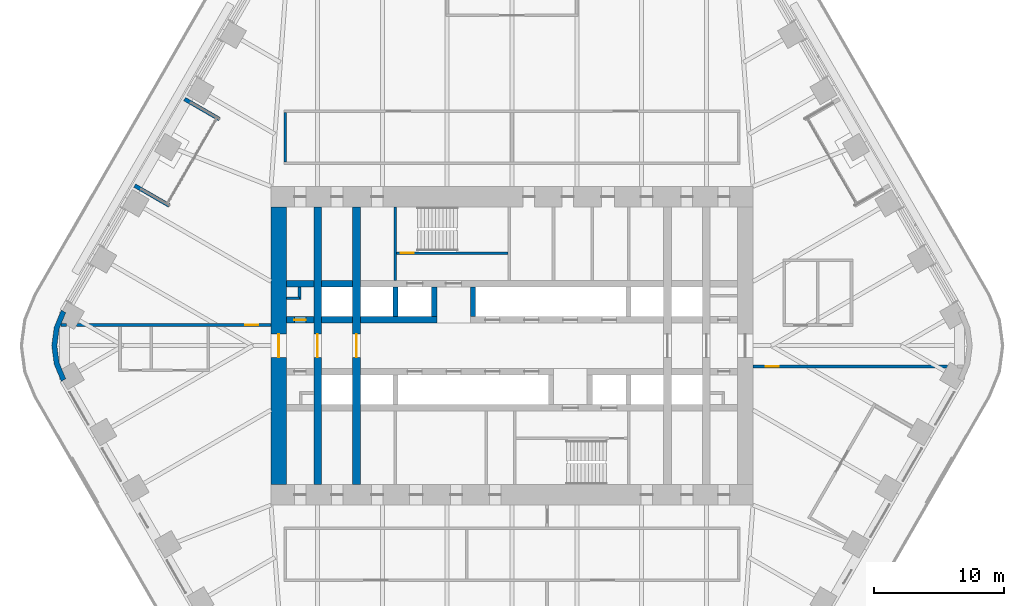
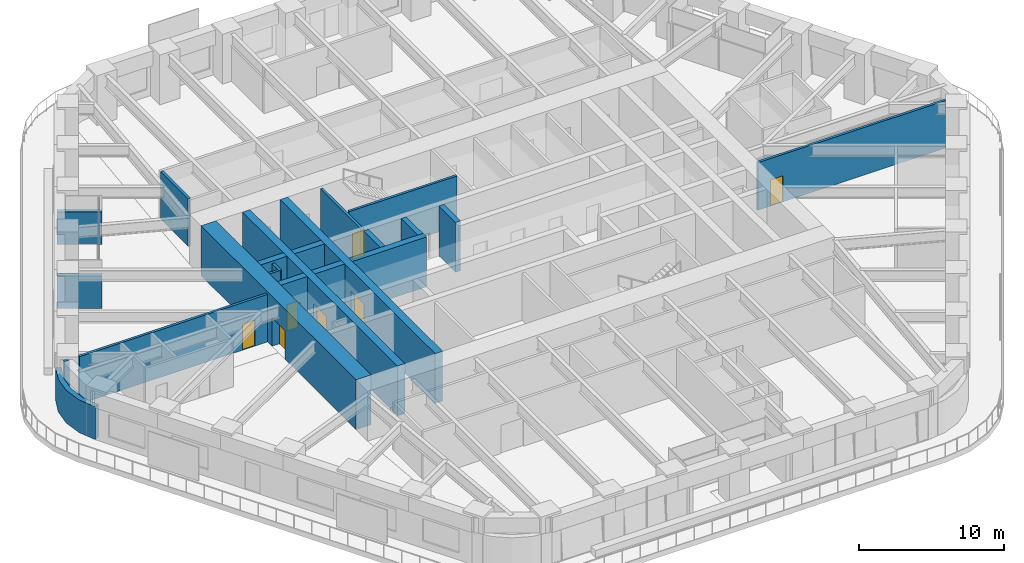
# One storey, part 19 of 24: 22 walls, 7 doors, 7 openings.
"""IFC4 building model written with IfcOpenShell, lengths in metres."""

from ifc_helpers import new_model, si_unit, direction, frame, frame_2d, origin, place, context, subcontext, project, spatial, polyline, rectangle, outline, extrude, material, layer, layer_set, type_object, element, fill, save


model = new_model("IFC4")

# Units and contexts
model_context = context("Model", 3, precision=1e-05, world=origin(), true_north=direction((0.0, 1.0)))
body_context = subcontext(model_context, "Body", "Model", "MODEL_VIEW")
ifc_project = project(units=[si_unit("LENGTHUNIT", "METRE"), si_unit("AREAUNIT", "SQUARE_METRE"), si_unit("VOLUMEUNIT", "CUBIC_METRE"), si_unit("PLANEANGLEUNIT", "RADIAN"), si_unit("MASSUNIT", "GRAM", prefix="KILO")], contexts=[model_context])

# Site, building, storey
site_placement = place(None, origin())
site = spatial("IfcSite", under=ifc_project, at=site_placement, CompositionType="ELEMENT")
building_placement = place(site_placement, origin())
building = spatial("IfcBuilding", under=site, at=building_placement, Name="Tarfa Lantern Tower", CompositionType="ELEMENT")
storey_placement = place(building_placement, frame((0.0, 0.0, 148.89990234375)))
storey = spatial("IfcBuildingStorey", under=building, at=storey_placement, Name="L33", CompositionType="ELEMENT", Elevation=148.89990234375)

# Walls
ifc_material_1 = material(Name="Limestone cladding on blockwork", Category="masonry")
ifc_layer_1 = layer(ifc_material_1, 0.300048828125)
ifc_layer_set_1 = layer_set([ifc_layer_1], Name="EW1 STONE-CLAD WALL 300")
wall_type_1 = type_object("IfcWallType", Name="EW1 STONE-CLAD WALL 300", PredefinedType="SOLIDWALL", material=ifc_layer_set_1)
wall_1_placement = place(storey_placement, frame((-25.266357421875, 19.037353515625, 0.0), z_axis=(0.0, 0.0, 1.0), x_axis=(0.86600983753, -0.500026960575, 0.0)))
element("IfcWall", 1, at=wall_1_placement, inside=storey, type_object=wall_type_1, Name="Loggia return NW 1", PredefinedType="SOLIDWALL", context=body_context, shape_type="SweptSolid", body=[
    extrude(rectangle(XDim=3.099853515625, YDim=0.300048828125, at=frame_2d((1.5498046875, 0.0))), origin(), (0.0, 0.0, 1.0), 2.75),
])
wall_2_placement = place(storey_placement, frame((-29.1201171875, 12.362548828125, 0.0), z_axis=(0.0, 0.0, 1.0), x_axis=(0.86602952684, -0.49999285859, 0.0)))
element("IfcWall", 2, at=wall_2_placement, inside=storey, type_object=wall_type_1, Name="Loggia return NW 2", PredefinedType="SOLIDWALL", context=body_context, shape_type="SweptSolid", body=[
    extrude(rectangle(XDim=3.10009765625, YDim=0.300048828125, at=frame_2d((1.550048828125, 0.0))), origin(), (0.0, 0.0, 1.0), 2.75),
])
ifc_layer_2 = layer(ifc_material_1, 0.39990234375)
ifc_layer_set_2 = layer_set([ifc_layer_2], Name="EW2 CURVED STONE CORNER 400")
wall_type_2 = type_object("IfcWallType", Name="EW2 CURVED STONE CORNER 400", PredefinedType="SOLIDWALL", material=ifc_layer_set_2)
wall_3_placement = place(storey_placement, origin())
element("IfcWall", 3, at=wall_3_placement, inside=storey, type_object=wall_type_2, Name="Stone corner NW-SW", PredefinedType="SOLIDWALL", context=body_context, shape_type="SweptSolid", body=[
    extrude(outline(polyline([(-34.785400390625, 2.75), (-35.334716796875, 1.423583984375), (-35.522216796875, 0.0), (-35.334716796875, -1.423583984375), (-34.785400390625, -2.75), (-34.43896484375, -2.550048828125), (-34.948486328125, -1.320068359375), (-35.122314453125, 0.0), (-34.948486328125, 1.320068359375), (-34.43896484375, 2.550048828125), (-34.785400390625, 2.75)])), origin(), (0.0, 0.0, 1.0), 2.75),
])
ifc_material_2 = material(Name="Concrete blockwork", Category="masonry")
ifc_layer_3 = layer(ifc_material_2, 0.199951171875)
ifc_layer_set_3 = layer_set([ifc_layer_3], Name="IW1 BLOCKWORK PARTITION 200 EI 120")
wall_type_3 = type_object("IfcWallType", Name="IW1 BLOCKWORK PARTITION 200 EI 120", PredefinedType="PARTITIONING", material=ifc_layer_set_3)
wall_4_placement = place(storey_placement, frame((-9.0, 5.050048828125, 0.0), z_axis=(0.0, 0.0, 1.0), x_axis=(0.0, 1.0, 0.0)))
element("IfcWall", 4, at=wall_4_placement, inside=storey, type_object=wall_type_3, Name="Core partition", PredefinedType="PARTITIONING", context=body_context, shape_type="SweptSolid", body=[
    extrude(rectangle(XDim=5.64990234375, YDim=0.199951171875, at=frame_2d((2.824951171875, 0.0))), origin(), (0.0, 0.0, 1.0), 4.0),
])
for number, where, z_axis, x_axis, name in (
    (5, (-17.39990234375, 3.64990234375, 0.0), (0.0, 0.0, 1.0), (1.0, 0.0, 0.0), "Core partition"),
    (6, (-16.39990234375, 3.550048828125, 0.0), (0.0, 0.0, 1.0), (0.0, 1.0, 0.0), "Core partition"),
):
    element("IfcWall", number, at=place(storey_placement, frame(where, z_axis=z_axis, x_axis=x_axis)), inside=storey, type_object=wall_type_3, Name=name, PredefinedType="PARTITIONING", context=body_context, shape_type="SweptSolid", body=[
        extrude(rectangle(XDim=1.0, YDim=0.199951171875, at=frame_2d((0.5, 0.0))), origin(), (0.0, 0.0, 1.0), 4.0),
    ])
ifc_material_3 = material(Name="Gypsum board on steel studs", Category="steel")
ifc_layer_4 = layer(ifc_material_3, 0.2099609375)
ifc_layer_set_4 = layer_set([ifc_layer_4], Name="IW2 ACOUSTIC PARTITION 200")
wall_type_4 = type_object("IfcWallType", Name="IW2 ACOUSTIC PARTITION 200", PredefinedType="PARTITIONING", material=ifc_layer_set_4)
wall_5_placement = place(storey_placement, frame((-17.5, 14.199951171875, 0.0), z_axis=(0.0, 0.0, 1.0), x_axis=(0.0, 1.0, 0.0)))
element("IfcWall", 7, at=wall_5_placement, inside=storey, type_object=wall_type_4, Name="Partition", PredefinedType="PARTITIONING", context=body_context, shape_type="SweptSolid", body=[
    extrude(rectangle(XDim=3.800048828125, YDim=0.199951171875, at=frame_2d((1.89990234375, 0.0))), origin(), (0.0, 0.0, 1.0), 4.0),
])

# Wall, opening, door
wall_6_placement = place(storey_placement, frame((18.60009765625, -1.60009765625, 0.0), z_axis=(0.0, 0.0, 1.0), x_axis=(1.0, 0.0, 0.0)))
wall_6 = element("IfcWall", 8, at=wall_6_placement, inside=storey, type_object=wall_type_4, Name="Partition", PredefinedType="PARTITIONING", context=body_context, shape_type="SweptSolid", body=[
    extrude(rectangle(XDim=15.001708984375, YDim=0.199951171875, at=frame_2d((7.5009765625, 0.0))), origin(), (0.0, 0.0, 1.0), 4.0),
])
opening_1_placement = place(wall_6_placement, frame((1.000244140625, 0.0, 0.0)))
opening_1 = element("IfcOpeningElement", 9, at=opening_1_placement, cuts=wall_6, Name="Opening D45", PredefinedType="OPENING", context=body_context, shape_type="SweptSolid", body=[
    extrude(rectangle(XDim=1.0, YDim=2.199951171875, at=frame_2d((0.5, 1.10009765625))), frame((0.0, 0.10986328125, 0.0), z_axis=(0.0, -1.0, 0.0), x_axis=(1.0, 0.0, 0.0)), (0.0, 0.0, 1.0), 0.219970703125),
])
ifc_material_4 = material(Name="Timber door", Category="wood")
door_type_1 = type_object("IfcDoorType", Name="DR1 ROOM DOOR 1000x2200", OperationType="SINGLE_SWING_LEFT", PredefinedType="DOOR", material=ifc_material_4)
door_1_placement = place(opening_1_placement, frame((1.0, 0.0, 0.0), z_axis=(0.0, 0.0, 1.0), x_axis=(-1.0, 0.0, 0.0)))
door_1 = element("IfcDoor", 10, at=door_1_placement, inside=storey, type_object=door_type_1, Name="Zone door", OperationType="SINGLE_SWING_LEFT", OverallHeight=2.199951171875, OverallWidth=1.0, PredefinedType="DOOR", context=body_context, shape_type="SweptSolid", body=[
    extrude(rectangle(XDim=1.0, YDim=2.199951171875, at=frame_2d((0.5, 1.10009765625))), frame((0.0, 0.02490234375, 0.0), z_axis=(0.0, -1.0, 0.0), x_axis=(1.0, 0.0, 0.0)), (0.0, 0.0, 1.0), 0.050048828125),
])
fill(opening_1, door_1)

wall_7_placement = place(storey_placement, frame((-18.60009765625, 1.60009765625, 0.0), z_axis=(0.0, 0.0, 1.0), x_axis=(-1.0, 0.0, 0.0)))
wall_7 = element("IfcWall", 11, at=wall_7_placement, inside=storey, type_object=wall_type_4, Name="Partition", PredefinedType="PARTITIONING", context=body_context, shape_type="SweptSolid", body=[
    extrude(rectangle(XDim=15.001708984375, YDim=0.199951171875, at=frame_2d((7.5009765625, 0.0))), origin(), (0.0, 0.0, 1.0), 4.0),
])
opening_2_placement = place(wall_7_placement, frame((1.000244140625, 0.0, 0.0)))
opening_2 = element("IfcOpeningElement", 12, at=opening_2_placement, cuts=wall_7, Name="Opening D47", PredefinedType="OPENING", context=body_context, shape_type="SweptSolid", body=[
    extrude(rectangle(XDim=1.0, YDim=2.199951171875, at=frame_2d((0.5, 1.10009765625))), frame((0.0, 0.10986328125, 0.0), z_axis=(0.0, -1.0, 0.0), x_axis=(1.0, 0.0, 0.0)), (0.0, 0.0, 1.0), 0.219970703125),
])
door_2_placement = place(opening_2_placement, origin())
door_2 = element("IfcDoor", 13, at=door_2_placement, inside=storey, type_object=door_type_1, Name="Zone door", OperationType="SINGLE_SWING_RIGHT", OverallHeight=2.199951171875, OverallWidth=1.0, PredefinedType="DOOR", context=body_context, shape_type="SweptSolid", body=[
    extrude(rectangle(XDim=1.0, YDim=2.199951171875, at=frame_2d((0.5, 1.10009765625))), frame((0.0, 0.02490234375, 0.0), z_axis=(0.0, -1.0, 0.0), x_axis=(1.0, 0.0, 0.0)), (0.0, 0.0, 1.0), 0.050048828125),
])
fill(opening_2, door_2)

# Wall
wall_8_placement = place(storey_placement, frame((-34.3935546875, 1.60009765625, 0.0), z_axis=(0.0, 0.0, 1.0), x_axis=(-1.0, 0.0, 0.0)))
element("IfcWall", 14, at=wall_8_placement, inside=storey, type_object=wall_type_4, Name="Partition", PredefinedType="PARTITIONING", context=body_context, shape_type="SweptSolid", body=[
    extrude(rectangle(XDim=0.397705078125, YDim=0.199951171875, at=frame_2d((0.19873046875, 0.0))), origin(), (0.0, 0.0, 1.0), 4.0),
])

# Wall, opening, door
ifc_material_5 = material(Name="Concrete C80/95", Category="concrete")
ifc_layer_5 = layer(ifc_material_5, 1.199951171875)
ifc_layer_set_5 = layer_set([ifc_layer_5], Name="SW1 CORE WALL 1200")
wall_type_5 = type_object("IfcWallType", Name="SW1 CORE WALL 1200", PredefinedType="SHEAR", material=ifc_layer_set_5)
wall_9_placement = place(storey_placement, frame((-18.0, 10.699951171875, 0.0), z_axis=(0.0, 0.0, 1.0), x_axis=(0.0, -1.0, 0.0)))
wall_9 = element("IfcWall", 15, at=wall_9_placement, inside=storey, type_object=wall_type_5, Name="Core wall W", PredefinedType="SHEAR", context=body_context, shape_type="SweptSolid", body=[
    extrude(rectangle(XDim=21.39990234375, YDim=1.199951171875, at=frame_2d((10.699951171875, 0.0))), origin(), (0.0, 0.0, 1.0), 4.2001953125),
])
opening_3_placement = place(wall_9_placement, frame((9.800048828125, 0.0, 0.0)))
opening_3 = element("IfcOpeningElement", 16, at=opening_3_placement, cuts=wall_9, Name="Opening D16", PredefinedType="OPENING", context=body_context, shape_type="SweptSolid", body=[
    extrude(rectangle(XDim=1.800048828125, YDim=2.39990234375, at=frame_2d((0.89990234375, 1.199951171875))), frame((0.0, 0.60986328125, 0.0), z_axis=(0.0, -1.0, 0.0), x_axis=(1.0, 0.0, 0.0)), (0.0, 0.0, 1.0), 1.219970703125),
])
ifc_material_6 = material(Name="Steel fire door", Category="steel")
door_type_2 = type_object("IfcDoorType", Name="DL1 LOBBY DOOR 1800x2400", OperationType="DOUBLE_DOOR_SINGLE_SWING", PredefinedType="DOOR", material=ifc_material_6)
door_3_placement = place(opening_3_placement, frame((1.800048828125, 0.0, 0.0), z_axis=(0.0, 0.0, 1.0), x_axis=(-1.0, 0.0, 0.0)))
door_3 = element("IfcDoor", 17, at=door_3_placement, inside=storey, type_object=door_type_2, Name="Lift lobby door", OperationType="DOUBLE_DOOR_SINGLE_SWING", OverallHeight=2.39990234375, OverallWidth=1.800048828125, PredefinedType="DOOR", context=body_context, shape_type="SweptSolid", body=[
    extrude(rectangle(XDim=1.800048828125, YDim=2.39990234375, at=frame_2d((0.89990234375, 1.199951171875))), frame((0.0, 0.02490234375, 0.0), z_axis=(0.0, -1.0, 0.0), x_axis=(1.0, 0.0, 0.0)), (0.0, 0.0, 1.0), 0.050048828125),
])
fill(opening_3, door_3)

ifc_layer_6 = layer(ifc_material_5, 0.199951171875)
ifc_layer_set_6 = layer_set([ifc_layer_6], Name="SW12 CORE WALL 200")
wall_type_6 = type_object("IfcWallType", Name="SW12 CORE WALL 200", PredefinedType="SHEAR", material=ifc_layer_set_6)
wall_10_placement = place(storey_placement, frame((-8.89990234375, 7.14990234375, 0.0), z_axis=(0.0, 0.0, 1.0), x_axis=(1.0, 0.0, 0.0)))
wall_10 = element("IfcWall", 18, at=wall_10_placement, inside=storey, type_object=wall_type_6, Name="Core wall stair partition N", PredefinedType="SHEAR", context=body_context, shape_type="SweptSolid", body=[
    extrude(rectangle(XDim=8.599853515625, YDim=0.199951171875, at=frame_2d((4.2998046875, 0.0))), origin(), (0.0, 0.0, 1.0), 4.2001953125),
])
opening_4_placement = place(wall_10_placement, frame((0.300048828125, 0.0, 0.0)))
opening_4 = element("IfcOpeningElement", 19, at=opening_4_placement, cuts=wall_10, Name="Opening D27", PredefinedType="OPENING", context=body_context, shape_type="SweptSolid", body=[
    extrude(rectangle(XDim=1.0, YDim=2.199951171875, at=frame_2d((0.5, 1.10009765625))), frame((0.0, 0.10986328125, 0.0), z_axis=(0.0, -1.0, 0.0), x_axis=(1.0, 0.0, 0.0)), (0.0, 0.0, 1.0), 0.219970703125),
])
door_type_3 = type_object("IfcDoorType", Name="DF2 STAIR DOOR 1000x2200", OperationType="SINGLE_SWING_LEFT", PredefinedType="DOOR", material=ifc_material_6)
door_4_placement = place(opening_4_placement, origin())
door_4 = element("IfcDoor", 20, at=door_4_placement, inside=storey, type_object=door_type_3, Name="Stair door", OperationType="SINGLE_SWING_RIGHT", OverallHeight=2.199951171875, OverallWidth=1.0, PredefinedType="DOOR", context=body_context, shape_type="SweptSolid", body=[
    extrude(rectangle(XDim=1.0, YDim=2.199951171875, at=frame_2d((0.5, 1.10009765625))), frame((0.0, 0.02490234375, 0.0), z_axis=(0.0, -1.0, 0.0), x_axis=(1.0, 0.0, 0.0)), (0.0, 0.0, 1.0), 0.050048828125),
])
fill(opening_4, door_4)

ifc_layer_7 = layer(ifc_material_5, 0.5)
ifc_layer_set_7 = layer_set([ifc_layer_7], Name="SW5 CORE WALL 500")
wall_type_7 = type_object("IfcWallType", Name="SW5 CORE WALL 500", PredefinedType="SHEAR", material=ifc_layer_set_7)
wall_11_placement = place(storey_placement, frame((-17.39990234375, 2.0, 0.0), z_axis=(0.0, 0.0, 1.0), x_axis=(1.0, 0.0, 0.0)))
wall_11 = element("IfcWall", 21, at=wall_11_placement, inside=storey, type_object=wall_type_7, Name="Core wall lobby west N", PredefinedType="SHEAR", context=body_context, shape_type="SweptSolid", body=[
    extrude(rectangle(XDim=2.099853515625, YDim=0.5, at=frame_2d((1.0498046875, 0.0))), origin(), (0.0, 0.0, 1.0), 4.2001953125),
])
opening_5_placement = place(wall_11_placement, frame((0.60009765625, 0.0, 0.0)))
opening_5 = element("IfcOpeningElement", 22, at=opening_5_placement, cuts=wall_11, Name="Opening D19", PredefinedType="OPENING", context=body_context, shape_type="SweptSolid", body=[
    extrude(rectangle(XDim=0.89990234375, YDim=2.199951171875, at=frame_2d((0.449951171875, 1.10009765625))), frame((0.0, 0.260009765625, 0.0), z_axis=(0.0, -1.0, 0.0), x_axis=(1.0, 0.0, 0.0)), (0.0, 0.0, 1.0), 0.52001953125),
])
door_type_4 = type_object("IfcDoorType", Name="DF6 SERVICE ROOM DOOR 900x2200", OperationType="SINGLE_SWING_LEFT", PredefinedType="DOOR", material=ifc_material_6)
door_5_placement = place(opening_5_placement, origin())
door_5 = element("IfcDoor", 23, at=door_5_placement, inside=storey, type_object=door_type_4, Name="Service room door", OperationType="SINGLE_SWING_LEFT", OverallHeight=2.199951171875, OverallWidth=0.89990234375, PredefinedType="DOOR", context=body_context, shape_type="SweptSolid", body=[
    extrude(rectangle(XDim=0.89990234375, YDim=2.199951171875, at=frame_2d((0.449951171875, 1.10009765625))), frame((0.0, 0.02490234375, 0.0), z_axis=(0.0, -1.0, 0.0), x_axis=(1.0, 0.0, 0.0)), (0.0, 0.0, 1.0), 0.050048828125),
])
fill(opening_5, door_5)

# Walls
wall_12_placement = place(storey_placement, frame((-14.699951171875, 2.0, 0.0), z_axis=(0.0, 0.0, 1.0), x_axis=(1.0, 0.0, 0.0)))
element("IfcWall", 24, at=wall_12_placement, inside=storey, type_object=wall_type_7, Name="Core wall lobby west N", PredefinedType="SHEAR", context=body_context, shape_type="SweptSolid", body=[
    extrude(rectangle(XDim=2.39990234375, YDim=0.5, at=frame_2d((1.199951171875, 0.0))), origin(), (0.0, 0.0, 1.0), 4.2001953125),
])
wall_13_placement = place(storey_placement, frame((-11.699951171875, 2.0, 0.0), z_axis=(0.0, 0.0, 1.0), x_axis=(1.0, 0.0, 0.0)))
element("IfcWall", 25, at=wall_13_placement, inside=storey, type_object=wall_type_7, Name="Core wall lobby west N", PredefinedType="SHEAR", context=body_context, shape_type="SweptSolid", body=[
    extrude(rectangle(XDim=5.89990234375, YDim=0.5, at=frame_2d((2.949951171875, 0.0))), origin(), (0.0, 0.0, 1.0), 4.2001953125),
])
wall_14_placement = place(storey_placement, frame((-17.39990234375, 4.800048828125, 0.0), z_axis=(0.0, 0.0, 1.0), x_axis=(1.0, 0.0, 0.0)))
element("IfcWall", 26, at=wall_14_placement, inside=storey, type_object=wall_type_7, Name="Core wall rear N", PredefinedType="SHEAR", context=body_context, shape_type="SweptSolid", body=[
    extrude(rectangle(XDim=2.099853515625, YDim=0.5, at=frame_2d((1.0498046875, 0.0))), origin(), (0.0, 0.0, 1.0), 4.2001953125),
])
wall_15_placement = place(storey_placement, frame((-14.699951171875, 4.800048828125, 0.0), z_axis=(0.0, 0.0, 1.0), x_axis=(1.0, 0.0, 0.0)))
element("IfcWall", 27, at=wall_15_placement, inside=storey, type_object=wall_type_7, Name="Core wall rear N", PredefinedType="SHEAR", context=body_context, shape_type="SweptSolid", body=[
    extrude(rectangle(XDim=2.39990234375, YDim=0.5, at=frame_2d((1.199951171875, 0.0))), origin(), (0.0, 0.0, 1.0), 4.2001953125),
])
ifc_layer_8 = layer(ifc_material_5, 0.39990234375)
ifc_layer_set_8 = layer_set([ifc_layer_8], Name="SW6 CORE WALL 400")
wall_type_8 = type_object("IfcWallType", Name="SW6 CORE WALL 400", PredefinedType="SHEAR", material=ifc_layer_set_8)
for number, where, z_axis, x_axis, name in (
    (28, (-9.0, 2.25, 0.0), (0.0, 0.0, 1.0), (0.0, 1.0, 0.0), "Core wall divider N"),
    (29, (-6.0, 2.25, 0.0), (0.0, 0.0, 1.0), (0.0, 1.0, 0.0), "Core wall divider N"),
    (30, (-3.0, 2.25, 0.0), (0.0, 0.0, 1.0), (0.0, 1.0, 0.0), "Core wall divider N"),
):
    element("IfcWall", number, at=place(storey_placement, frame(where, z_axis=z_axis, x_axis=x_axis)), inside=storey, type_object=wall_type_8, Name=name, PredefinedType="SHEAR", context=body_context, shape_type="SweptSolid", body=[
        extrude(rectangle(XDim=2.300048828125, YDim=0.39990234375, at=frame_2d((1.14990234375, 0.0))), origin(), (0.0, 0.0, 1.0), 4.2001953125),
    ])

# Wall, opening, door
ifc_layer_9 = layer(ifc_material_5, 0.60009765625)
ifc_layer_set_9 = layer_set([ifc_layer_9], Name="SW9 CORE WALL 600")
wall_type_9 = type_object("IfcWallType", Name="SW9 CORE WALL 600", PredefinedType="SHEAR", material=ifc_layer_set_9)
wall_16_placement = place(storey_placement, frame((-12.0, -10.699951171875, 0.0), z_axis=(0.0, 0.0, 1.0), x_axis=(0.0, 1.0, 0.0)))
wall_16 = element("IfcWall", 31, at=wall_16_placement, inside=storey, type_object=wall_type_9, Name="Core wall cross 12 m west", PredefinedType="SHEAR", context=body_context, shape_type="SweptSolid", body=[
    extrude(rectangle(XDim=21.39990234375, YDim=0.60009765625, at=frame_2d((10.699951171875, 0.0))), origin(), (0.0, 0.0, 1.0), 4.2001953125),
])
opening_6_placement = place(wall_16_placement, frame((9.800048828125, 0.0, 0.0)))
opening_6 = element("IfcOpeningElement", 32, at=opening_6_placement, cuts=wall_16, Name="Opening D31", PredefinedType="OPENING", context=body_context, shape_type="SweptSolid", body=[
    extrude(rectangle(XDim=1.800048828125, YDim=2.39990234375, at=frame_2d((0.89990234375, 1.199951171875))), frame((0.0, 0.31005859375, 0.0), z_axis=(0.0, -1.0, 0.0), x_axis=(1.0, 0.0, 0.0)), (0.0, 0.0, 1.0), 0.6201171875),
])
door_6_placement = place(opening_6_placement, origin())
door_6 = element("IfcDoor", 33, at=door_6_placement, inside=storey, type_object=door_type_2, Name="Lift lobby door", OperationType="DOUBLE_DOOR_SINGLE_SWING", OverallHeight=2.39990234375, OverallWidth=1.800048828125, PredefinedType="DOOR", context=body_context, shape_type="SweptSolid", body=[
    extrude(rectangle(XDim=1.800048828125, YDim=2.39990234375, at=frame_2d((0.89990234375, 1.199951171875))), frame((0.0, 0.02490234375, 0.0), z_axis=(0.0, -1.0, 0.0), x_axis=(1.0, 0.0, 0.0)), (0.0, 0.0, 1.0), 0.050048828125),
])
fill(opening_6, door_6)

wall_17_placement = place(storey_placement, frame((-15.0, -10.699951171875, 0.0), z_axis=(0.0, 0.0, 1.0), x_axis=(0.0, 1.0, 0.0)))
wall_17 = element("IfcWall", 34, at=wall_17_placement, inside=storey, type_object=wall_type_9, Name="Core wall cross 15 m west", PredefinedType="SHEAR", context=body_context, shape_type="SweptSolid", body=[
    extrude(rectangle(XDim=21.39990234375, YDim=0.60009765625, at=frame_2d((10.699951171875, 0.0))), origin(), (0.0, 0.0, 1.0), 4.2001953125),
])
opening_7_placement = place(wall_17_placement, frame((9.800048828125, 0.0, 0.0)))
opening_7 = element("IfcOpeningElement", 35, at=opening_7_placement, cuts=wall_17, Name="Opening D32", PredefinedType="OPENING", context=body_context, shape_type="SweptSolid", body=[
    extrude(rectangle(XDim=1.800048828125, YDim=2.39990234375, at=frame_2d((0.89990234375, 1.199951171875))), frame((0.0, 0.31005859375, 0.0), z_axis=(0.0, -1.0, 0.0), x_axis=(1.0, 0.0, 0.0)), (0.0, 0.0, 1.0), 0.6201171875),
])
door_7_placement = place(opening_7_placement, origin())
door_7 = element("IfcDoor", 36, at=door_7_placement, inside=storey, type_object=door_type_2, Name="Lift lobby door", OperationType="DOUBLE_DOOR_SINGLE_SWING", OverallHeight=2.39990234375, OverallWidth=1.800048828125, PredefinedType="DOOR", context=body_context, shape_type="SweptSolid", body=[
    extrude(rectangle(XDim=1.800048828125, YDim=2.39990234375, at=frame_2d((0.89990234375, 1.199951171875))), frame((0.0, 0.02490234375, 0.0), z_axis=(0.0, -1.0, 0.0), x_axis=(1.0, 0.0, 0.0)), (0.0, 0.0, 1.0), 0.050048828125),
])
fill(opening_7, door_7)

save(model, "model.ifc")
